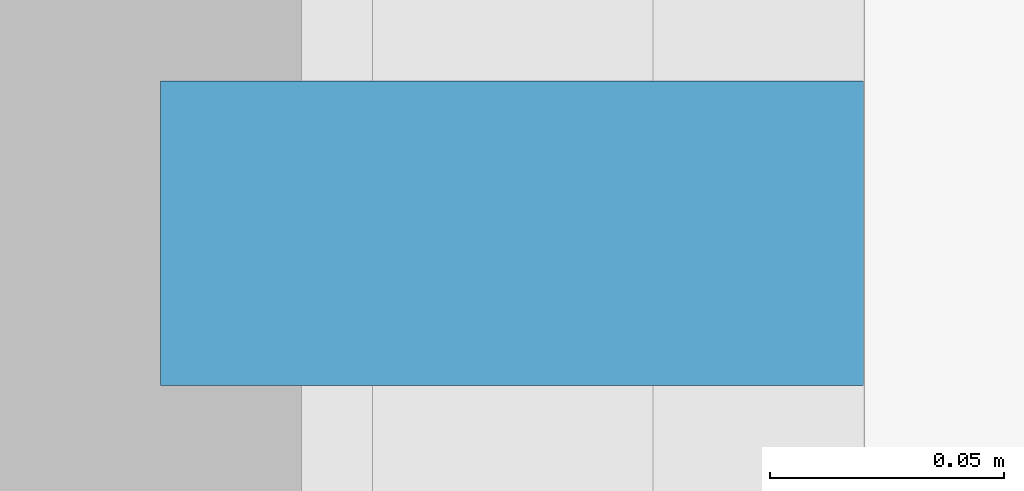
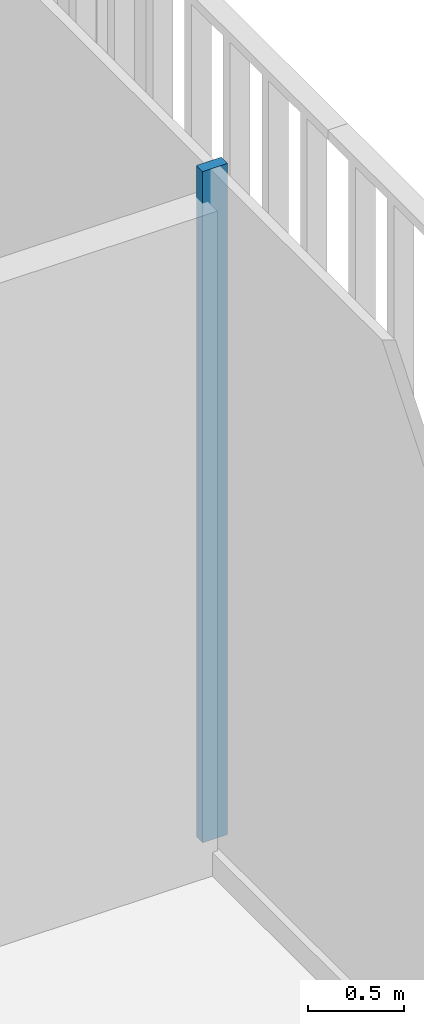
# One storey, part 10 of 20: 1 member, 1 element without a shape of its own.
"""IFC4 building model written with IfcOpenShell, lengths in metres."""

import ifcopenshell
import ifcopenshell.guid

model = None  # the IFC model being written
_history = None  # IfcOwnerHistory: only IFC2X3 demands one
_inside = {}  # id of a spatial element -> (the spatial element, [elements in it])
_under = {}  # id of a project, library or spatial element -> (it, [spatial elements below it])
_declared = {}  # id of a project -> (the project, [libraries it declares])
_typed = {}  # id of a type object -> (the type object, [elements of that type])
_made_of = {}  # id of a material, layer set ... -> (it, [elements and type objects made of it])


def new_model(schema):
    """Start an empty IFC model of exactly this schema.

    Asked for "IFC4X3", IfcOpenShell would pick the latest addendum, in which some entities
    have other attributes; the version numbers below select the first issue.
    IFC2X3 requires an IfcOwnerHistory on every rooted entity: one is made here for all.
    """
    global model, _history
    if schema == "IFC4X3":
        model = ifcopenshell.file(schema_version=(4, 3, 0, 0))
    else:
        model = ifcopenshell.file(schema=schema)
    _inside.clear()
    _under.clear()
    _declared.clear()
    _typed.clear()
    _made_of.clear()
    _history = None
    if model.schema == "IFC2X3":
        org = make("IfcOrganization", Name="unknown")
        user = make(
            "IfcPersonAndOrganization",
            ThePerson=make("IfcPerson", FamilyName="unknown"),
            TheOrganization=org,
        )
        app = make(
            "IfcApplication",
            ApplicationDeveloper=org,
            Version="unknown",
            ApplicationFullName="unknown",
            ApplicationIdentifier="unknown",
        )
        _history = make(
            "IfcOwnerHistory",
            OwningUser=user,
            OwningApplication=app,
            ChangeAction="ADDED",
            CreationDate=0,
        )
    return model


def make(cls, **values):
    """One entity of the class cls with the attributes given. An attribute that is None is left unset."""
    return model.create_entity(
        cls, **{name: value for name, value in values.items() if value is not None}
    )


def rooted(cls, **values):
    """An entity with a GlobalId (a new one), such as an element, a storey or a relation."""
    return make(cls, GlobalId=ifcopenshell.guid.new(), OwnerHistory=_history, **values)


def si_unit(unit_type, name, prefix=None):
    """IfcSIUnit, for example si_unit("LENGTHUNIT", "METRE", prefix="MILLI")."""
    return make("IfcSIUnit", UnitType=unit_type, Prefix=prefix, Name=name)


def assignment(units):
    """IfcUnitAssignment: the units of a project."""
    return None if units is None else make("IfcUnitAssignment", Units=units)


def point(xyz):
    """IfcCartesianPoint."""
    return None if xyz is None else make("IfcCartesianPoint", Coordinates=xyz)


def direction(xyz):
    """IfcDirection."""
    return None if xyz is None else make("IfcDirection", DirectionRatios=xyz)


def frame(location, z_axis=None, x_axis=None):
    """IfcAxis2Placement3D, a coordinate frame: its origin and axes. An axis left out is left unset."""
    return make(
        "IfcAxis2Placement3D",
        Location=point(location),
        Axis=direction(z_axis),
        RefDirection=direction(x_axis),
    )


def frame_2d(location, x_axis=None):
    """IfcAxis2Placement2D, a coordinate frame in the plane: its origin and x axis."""
    return make(
        "IfcAxis2Placement2D", Location=point(location), RefDirection=direction(x_axis)
    )


def origin():
    """The frame at (0, 0, 0) with its axes left unset."""
    return frame((0.0, 0.0, 0.0))


def origin_2d():
    """The frame at (0, 0) in the plane with its x axis left unset."""
    return frame_2d((0.0, 0.0))


def place(relative_to, where):
    """IfcLocalPlacement: puts the frame where relative to a parent placement (None: the world)."""
    return make(
        "IfcLocalPlacement", PlacementRelTo=relative_to, RelativePlacement=where
    )


def context(
    kind, dimensions, precision=None, world=None, true_north=None, identifier=None
):
    """IfcGeometricRepresentationContext, for example the 3D "Model" context."""
    return make(
        "IfcGeometricRepresentationContext",
        ContextIdentifier=identifier,
        ContextType=kind,
        CoordinateSpaceDimension=dimensions,
        Precision=precision,
        WorldCoordinateSystem=world,
        TrueNorth=true_north,
    )


def subcontext(parent, identifier, kind, view, scale=None):
    """IfcGeometricRepresentationSubContext, for example "Body" below "Model"."""
    return make(
        "IfcGeometricRepresentationSubContext",
        ContextIdentifier=identifier,
        ContextType=kind,
        ParentContext=parent,
        TargetScale=scale,
        TargetView=view,
    )


def project(units=None, contexts=None):
    """IfcProject with its units and contexts."""
    return rooted(
        "IfcProject",
        Name="project",
        RepresentationContexts=contexts,
        UnitsInContext=assignment(units),
    )


def spatial(cls, under=None, at=None, **own):
    """A site, building, storey or space (cls), placed at a placement, below another one or the project."""
    s = rooted(cls, ObjectPlacement=at, **own)
    if under is not None:
        _under.setdefault(under.id(), (under, []))[1].append(s)
    return s


def profile(cls, at=None, kind="AREA", **sizes):
    """A parametric profile (cls). Its sizes go by their IFC names, for example OverallWidth=200.0."""
    return make(cls, ProfileType=kind, Position=at, **sizes)


def rectangle(**sizes):
    """IfcRectangleProfileDef."""
    return profile("IfcRectangleProfileDef", **sizes)


def extrude(swept, where, along, depth):
    """IfcExtrudedAreaSolid: the profile swept, set in the frame where, extruded along a direction by depth."""
    return make(
        "IfcExtrudedAreaSolid",
        SweptArea=swept,
        Position=where,
        ExtrudedDirection=direction(along),
        Depth=depth,
    )


def shape(context_of_items, identifier, shape_type, items):
    """IfcShapeRepresentation: the items that make up one representation, for example the "Body"."""
    return make(
        "IfcShapeRepresentation",
        ContextOfItems=context_of_items,
        RepresentationIdentifier=identifier,
        RepresentationType=shape_type,
        Items=items,
    )


def material(Name=None, Category=None):
    """IfcMaterial."""
    return make("IfcMaterial", Name=Name, Category=Category)


def layer(
    of_material, thickness, ventilated=None, Name=None, Category=None, Priority=None
):
    """IfcMaterialLayer: one layer of a wall or slab, of a material (None: an air gap)."""
    return make(
        "IfcMaterialLayer",
        Material=of_material,
        LayerThickness=thickness,
        IsVentilated=ventilated,
        Name=Name,
        Category=Category,
        Priority=Priority,
    )


def layer_set(layers, Name=None):
    """IfcMaterialLayerSet."""
    return make("IfcMaterialLayerSet", MaterialLayers=layers, LayerSetName=Name)


def material_profile(
    of_material, cross_section, Name=None, Category=None, Priority=None
):
    """IfcMaterialProfile: a cross section and its material."""
    return make(
        "IfcMaterialProfile",
        Name=Name,
        Material=of_material,
        Profile=cross_section,
        Priority=Priority,
        Category=Category,
    )


def profile_set(profiles, Name=None, composite=None):
    """IfcMaterialProfileSet."""
    return make(
        "IfcMaterialProfileSet",
        Name=Name,
        MaterialProfiles=profiles,
        CompositeProfile=composite,
    )


def made_of(thing, what):
    """Note that an element or type object is made of a material, layer set ...; save() writes the relation."""
    if what is not None:
        _made_of.setdefault(what.id(), (what, []))[1].append(thing)
    return thing


def type_object(cls, material=None, **own):
    """A type object (cls), such as IfcWallType, which elements share."""
    return made_of(rooted(cls, **own), material)


def element(
    cls,
    number,
    at=None,
    inside=None,
    cuts=None,
    type_object=None,
    material=None,
    context=None,
    identifier="Body",
    shape_type=None,
    held_by="IfcProductDefinitionShape",
    body=None,
    shapes=None,
    **own,
):
    """One element of the class cls, such as IfcWall. Its Tag is "e" and its number.

    at: its placement. inside: the storey or other place that contains it. cuts: it is an
    opening in that element (IfcRelVoidsElement). A single representation is given by context,
    identifier, shape_type and body (its items); several are given by shapes. held_by: the class
    of the entity that holds the representations. save() writes the other relations.
    """
    e = rooted(cls, Tag="e%d" % number, ObjectPlacement=at, **own)
    if body is not None:
        shapes = [shape(context, identifier, shape_type, body)]
    if shapes is not None:
        e.Representation = make(held_by, Representations=shapes)
    if inside is not None:
        _inside.setdefault(inside.id(), (inside, []))[1].append(e)
    if cuts is not None:
        rooted(
            "IfcRelVoidsElement", RelatingBuildingElement=cuts, RelatedOpeningElement=e
        )
    if type_object is not None:
        _typed.setdefault(type_object.id(), (type_object, []))[1].append(e)
    return made_of(e, material)


def aggregate(whole, parts):
    """IfcRelAggregates: a whole, such as a stair, and the parts it consists of."""
    return rooted("IfcRelAggregates", RelatingObject=whole, RelatedObjects=parts)


def save(model, path):
    """Write the relations noted so far, then the file.

    IfcRelAggregates (storeys below a building ...), IfcRelContainedInSpatialStructure (elements
    in a storey), IfcRelDefinesByType, IfcRelAssociatesMaterial and IfcRelDeclares: one each for
    every whole, place, type object, material and project.
    """
    for whole, parts in _under.values():
        aggregate(whole, parts)
    for where, things in _inside.values():
        rooted(
            "IfcRelContainedInSpatialStructure",
            RelatedElements=things,
            RelatingStructure=where,
        )
    for kind, things in _typed.values():
        rooted("IfcRelDefinesByType", RelatedObjects=things, RelatingType=kind)
    for what, things in _made_of.values():
        rooted("IfcRelAssociatesMaterial", RelatedObjects=things, RelatingMaterial=what)
    for by, libraries in _declared.values():
        rooted("IfcRelDeclares", RelatingContext=by, RelatedDefinitions=libraries)
    model.write(path)


model = new_model("IFC4")

# Units and contexts
model_context = context("Model", 3, precision=1e-05, world=origin(), true_north=direction((0.0, 1.0)))
body_context = subcontext(model_context, "Body", "Model", "MODEL_VIEW")
ifc_project = project(units=[si_unit("LENGTHUNIT", "METRE"), si_unit("AREAUNIT", "SQUARE_METRE"), si_unit("VOLUMEUNIT", "CUBIC_METRE"), si_unit("PLANEANGLEUNIT", "RADIAN"), si_unit("MASSUNIT", "GRAM", prefix="KILO")], contexts=[model_context])

# Site, building, storey
site_placement = place(None, origin())
site = spatial("IfcSite", under=ifc_project, at=site_placement, CompositionType="ELEMENT")
building_placement = place(site_placement, origin())
building = spatial("IfcBuilding", under=site, at=building_placement, Name="Millrace Tower", CompositionType="ELEMENT")
storey_placement = place(building_placement, frame((0.0, 0.0, 77.60009765625)))
storey = spatial("IfcBuildingStorey", under=building, at=storey_placement, Name="L17", CompositionType="ELEMENT", Elevation=77.60009765625)

# Curtain wall, member
ifc_material_1 = material(Name="Aluminium and glass", Category="aluminium")
ifc_layer = layer(ifc_material_1, 0.14990234375)
ifc_layer_set = layer_set([ifc_layer], Name="Aluminium and glass")
curtain_wall_type = type_object("IfcCurtainWallType", Name="CW-3 telecom floor curtain wall", PredefinedType="NOTDEFINED", material=ifc_layer_set)
curtain_wall_placement = place(storey_placement, origin())
curtain_wall = element("IfcCurtainWall", 1, at=curtain_wall_placement, inside=storey, type_object=curtain_wall_type, Name="Curtain wall B-F04 L17", PredefinedType="NOTDEFINED")
ifc_material_2 = material(Name="Aluminium", Category="aluminium")
ifc_material_profile = material_profile(ifc_material_2, rectangle(XDim=0.06494140625, YDim=0.14990234375, at=origin_2d()))
ifc_profile_set = profile_set([ifc_material_profile], Name="Aluminium")
member_type = type_object("IfcMemberType", Name="CW-3 telecom floor curtain wall mullion", PredefinedType="MULLION", material=ifc_profile_set)
member_placement = place(storey_placement, frame((28.27490234375, -2.66748046875, 0.14990234375), z_axis=(0.0, 0.0, 1.0), x_axis=(0.0, 1.0, 0.0)))
member = element("IfcMember", 2, at=member_placement, type_object=member_type, Name="CW3 mullion B-F04.6", PredefinedType="MULLION", context=body_context, shape_type="SweptSolid", body=[
    extrude(rectangle(XDim=0.06494140625, YDim=0.14990234375, at=origin_2d()), origin(), (0.0, 0.0, 1.0), 4.25),
])
aggregate(curtain_wall, [member])

save(model, "model.ifc")
